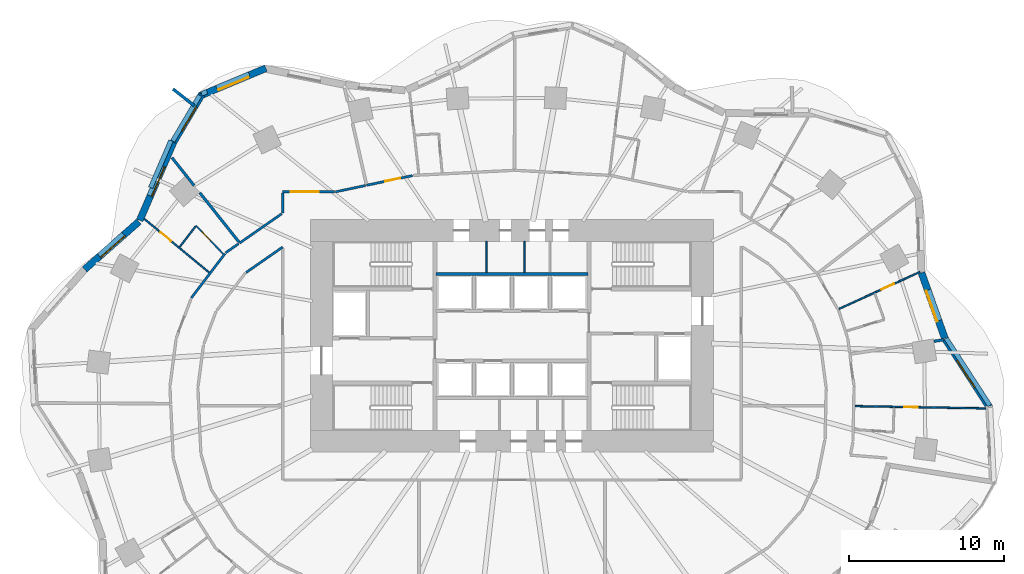
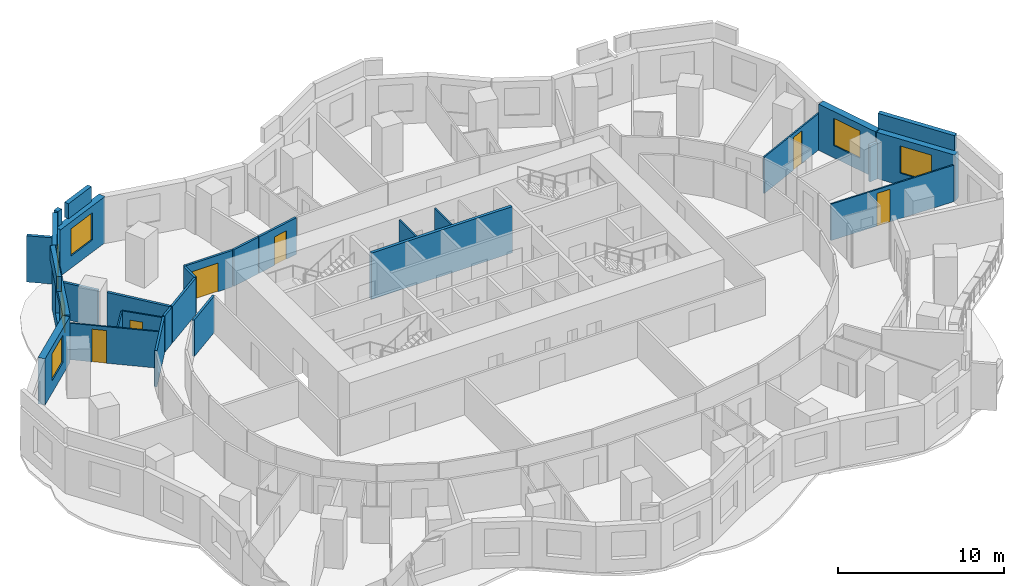
# One storey, part 9 of 14: 31 walls, 6 doors, 6 windows, 12 openings.
"""IFC4 building model written with IfcOpenShell, lengths in metres."""

from ifc_helpers import new_model, si_unit, direction, frame, frame_2d, origin, place, context, subcontext, project, spatial, rectangle, extrude, material, layer, layer_set, type_object, element, fill, save


model = new_model("IFC4")

# Units and contexts
model_context = context("Model", 3, precision=1e-05, world=origin(), true_north=direction((0.0, 1.0)))
body_context = subcontext(model_context, "Body", "Model", "MODEL_VIEW")
ifc_project = project(units=[si_unit("LENGTHUNIT", "METRE"), si_unit("AREAUNIT", "SQUARE_METRE"), si_unit("VOLUMEUNIT", "CUBIC_METRE"), si_unit("PLANEANGLEUNIT", "RADIAN"), si_unit("MASSUNIT", "GRAM", prefix="KILO")], contexts=[model_context])

# Site, building, storey
site_placement = place(None, origin())
site = spatial("IfcSite", under=ifc_project, at=site_placement, CompositionType="ELEMENT")
building_placement = place(site_placement, origin())
building = spatial("IfcBuilding", under=site, at=building_placement, Name="Rubra Terraces Tower", CompositionType="ELEMENT")
storey_placement = place(building_placement, frame((0.0, 0.0, 62.699951171875)))
storey = spatial("IfcBuildingStorey", under=building, at=storey_placement, Name="L13", CompositionType="ELEMENT", Elevation=62.699951171875)

# Walls
ifc_material_1 = material(Name="Twin plasterboard on staggered steel stud, acoustic mineral wool", Category="steel")
ifc_layer_1 = layer(ifc_material_1, 0.175048828125)
ifc_layer_set_1 = layer_set([ifc_layer_1], Name="Twin plasterboard on staggered steel stud, acoustic mineral wool")
wall_type_1 = type_object("IfcWallType", Name="ACOUSTIC PARTY WALL 175", PredefinedType="PARTITIONING", material=ifc_layer_set_1)
wall_1_placement = place(storey_placement, frame((-21.946044921875, 16.0068359375, 0.0), z_axis=(0.0, 0.0, 1.0), x_axis=(0.621870662711, -0.783119964539, 0.0)))
element("IfcWall", 1, at=wall_1_placement, inside=storey, type_object=wall_type_1, Name="PARTITION", PredefinedType="PARTITIONING", context=body_context, shape_type="SweptSolid", body=[
    extrude(rectangle(XDim=2.30126953125, YDim=0.175048828125, at=frame_2d((1.150634765625, 0.0))), origin(), (0.0, 0.0, 1.0), 2.679931640625),
])
wall_2_placement = place(storey_placement, frame((-20.145751953125, 13.739501953125, 0.0), z_axis=(0.0, 0.0, 1.0), x_axis=(0.621832273855, -0.783150447355, 0.0)))
element("IfcWall", 2, at=wall_2_placement, inside=storey, type_object=wall_type_1, Name="PARTITION", PredefinedType="PARTITIONING", context=body_context, shape_type="SweptSolid", body=[
    extrude(rectangle(XDim=4.06201171875, YDim=0.175048828125, at=frame_2d((2.031005859375, 0.0))), origin(), (0.0, 0.0, 1.0), 2.679931640625),
])
wall_3_placement = place(storey_placement, frame((27.844970703125, 4.249267578125, 0.0), z_axis=(0.0, 0.0, 1.0), x_axis=(-0.988533937995, -0.15099885242, 0.0)))
element("IfcWall", 3, at=wall_3_placement, inside=storey, type_object=wall_type_1, Name="PARTITION", PredefinedType="PARTITIONING", context=body_context, shape_type="SweptSolid", body=[
    extrude(rectangle(XDim=0.6240234375, YDim=0.175048828125, at=frame_2d((0.31201171875, 0.0))), origin(), (0.0, 0.0, 1.0), 2.679931640625),
])

# Wall, opening, window
ifc_material_2 = material(Name="Brick masonry red-brown", Category="masonry")
ifc_layer_2 = layer(ifc_material_2, 0.449951171875)
ifc_layer_set_2 = layer_set([ifc_layer_2], Name="Brick masonry red-brown")
wall_type_2 = type_object("IfcWallType", Name="Brick facade wall 450", PredefinedType="SOLIDWALL", material=ifc_layer_set_2)
wall_4_placement = place(storey_placement, frame((30.8251953125, -0.117431640625, 0.0), z_axis=(0.0, 0.0, 1.0), x_axis=(-0.543975629516, 0.839101015666, 0.0)))
wall_4 = element("IfcWall", 4, at=wall_4_placement, inside=storey, type_object=wall_type_2, Name="Facade wall L13 bay 1", PredefinedType="SOLIDWALL", context=body_context, shape_type="SweptSolid", body=[
    extrude(rectangle(XDim=5.281005859375, YDim=0.449951171875, at=frame_2d((2.640625, 0.0))), origin(), (0.0, 0.0, 1.0), 3.400146484375),
])
opening_1_placement = place(wall_4_placement, frame((1.590576171875, 0.0, 0.89990234375)))
opening_1 = element("IfcOpeningElement", 5, at=opening_1_placement, cuts=wall_4, Name="Opening W1", PredefinedType="OPENING", context=body_context, shape_type="SweptSolid", body=[
    extrude(rectangle(XDim=2.10009765625, YDim=2.0, at=frame_2d((1.050048828125, 1.0))), frame((0.0, 0.23486328125, 0.0), z_axis=(0.0, -1.0, 0.0), x_axis=(1.0, 0.0, 0.0)), (0.0, 0.0, 1.0), 0.469970703125),
])
ifc_material_3 = material(Name="Clear glass in aluminium frame", Category="aluminium")
window_type_1 = type_object("IfcWindowType", Name="Fixed deep-set window 2100 x 2000", PartitioningType="SINGLE_PANEL", PredefinedType="WINDOW", material=ifc_material_3)
window_1_placement = place(opening_1_placement, origin())
window_1 = element("IfcWindow", 6, at=window_1_placement, inside=storey, type_object=window_type_1, Name="Window L13 bay 1", OverallHeight=2.0, OverallWidth=2.10009765625, PartitioningType="SINGLE_PANEL", PredefinedType="WINDOW", context=body_context, shape_type="SweptSolid", body=[
    extrude(rectangle(XDim=2.10009765625, YDim=2.0, at=frame_2d((1.050048828125, 1.0))), frame((0.0, 0.135009765625, 0.0), z_axis=(0.0, -1.0, 0.0), x_axis=(1.0, 0.0, 0.0)), (0.0, 0.0, 1.0), 0.06005859375),
])
fill(opening_1, window_1)

wall_5_placement = place(storey_placement, frame((27.9326171875, 4.35595703125, 0.0), z_axis=(0.0, 0.0, 1.0), x_axis=(-0.335746005454, 0.941952557097, 0.0)))
wall_5 = element("IfcWall", 7, at=wall_5_placement, inside=storey, type_object=wall_type_2, Name="Facade wall L13 bay 2", PredefinedType="SOLIDWALL", context=body_context, shape_type="SweptSolid", body=[
    extrude(rectangle(XDim=4.47998046875, YDim=0.449951171875, at=frame_2d((2.239990234375, 0.0))), origin(), (0.0, 0.0, 1.0), 3.400146484375),
])
opening_2_placement = place(wall_5_placement, frame((1.18994140625, 0.0, 0.89990234375)))
opening_2 = element("IfcOpeningElement", 8, at=opening_2_placement, cuts=wall_5, Name="Opening W1", PredefinedType="OPENING", context=body_context, shape_type="SweptSolid", body=[
    extrude(rectangle(XDim=2.10009765625, YDim=2.0, at=frame_2d((1.050048828125, 1.0))), frame((0.0, 0.23486328125, 0.0), z_axis=(0.0, -1.0, 0.0), x_axis=(1.0, 0.0, 0.0)), (0.0, 0.0, 1.0), 0.469970703125),
])
window_2_placement = place(opening_2_placement, origin())
window_2 = element("IfcWindow", 9, at=window_2_placement, inside=storey, type_object=window_type_1, Name="Window L13 bay 2", OverallHeight=2.0, OverallWidth=2.10009765625, PartitioningType="SINGLE_PANEL", PredefinedType="WINDOW", context=body_context, shape_type="SweptSolid", body=[
    extrude(rectangle(XDim=2.10009765625, YDim=2.0, at=frame_2d((1.050048828125, 1.0))), frame((0.0, 0.135009765625, 0.0), z_axis=(0.0, -1.0, 0.0), x_axis=(1.0, 0.0, 0.0)), (0.0, 0.0, 1.0), 0.06005859375),
])
fill(opening_2, window_2)

wall_6_placement = place(storey_placement, frame((-15.88623046875, 21.7763671875, 0.0), z_axis=(0.0, 0.0, 1.0), x_axis=(-0.922527247898, -0.385931958882, 0.0)))
wall_6 = element("IfcWall", 10, at=wall_6_placement, inside=storey, type_object=wall_type_2, Name="Facade wall L13 bay 15", PredefinedType="SOLIDWALL", context=body_context, shape_type="SweptSolid", body=[
    extrude(rectangle(XDim=4.593994140625, YDim=0.449951171875, at=frame_2d((2.296875, 0.0))), origin(), (0.0, 0.0, 1.0), 3.400146484375),
])
opening_3_placement = place(wall_6_placement, frame((1.2470703125, 0.0, 0.89990234375)))
opening_3 = element("IfcOpeningElement", 11, at=opening_3_placement, cuts=wall_6, Name="Opening W1", PredefinedType="OPENING", context=body_context, shape_type="SweptSolid", body=[
    extrude(rectangle(XDim=2.10009765625, YDim=2.0, at=frame_2d((1.050048828125, 1.0))), frame((0.0, 0.23486328125, 0.0), z_axis=(0.0, -1.0, 0.0), x_axis=(1.0, 0.0, 0.0)), (0.0, 0.0, 1.0), 0.469970703125),
])
window_3_placement = place(opening_3_placement, origin())
window_3 = element("IfcWindow", 12, at=window_3_placement, inside=storey, type_object=window_type_1, Name="Window L13 bay 15", OverallHeight=2.0, OverallWidth=2.10009765625, PartitioningType="SINGLE_PANEL", PredefinedType="WINDOW", context=body_context, shape_type="SweptSolid", body=[
    extrude(rectangle(XDim=2.10009765625, YDim=2.0, at=frame_2d((1.050048828125, 1.0))), frame((0.0, 0.135009765625, 0.0), z_axis=(0.0, -1.0, 0.0), x_axis=(1.0, 0.0, 0.0)), (0.0, 0.0, 1.0), 0.06005859375),
])
fill(opening_3, window_3)

wall_7_placement = place(storey_placement, frame((-20.017333984375, 20.09619140625, 0.0), z_axis=(0.0, 0.0, 1.0), x_axis=(-0.509718522454, -0.860341227576, 0.0)))
wall_7 = element("IfcWall", 13, at=wall_7_placement, inside=storey, type_object=wall_type_2, Name="Facade wall L13 bay 16", PredefinedType="SOLIDWALL", context=body_context, shape_type="SweptSolid", body=[
    extrude(rectangle(XDim=3.5908203125, YDim=0.449951171875, at=frame_2d((1.79541015625, 0.0))), origin(), (0.0, 0.0, 1.0), 3.400146484375),
])
opening_4_placement = place(wall_7_placement, frame((0.8955078125, 0.0, 0.89990234375)))
opening_4 = element("IfcOpeningElement", 14, at=opening_4_placement, cuts=wall_7, Name="Opening W6", PredefinedType="OPENING", context=body_context, shape_type="SweptSolid", body=[
    extrude(rectangle(XDim=1.800048828125, YDim=2.0, at=frame_2d((0.89990234375, 1.0))), frame((0.0, 0.23486328125, 0.0), z_axis=(0.0, -1.0, 0.0), x_axis=(1.0, 0.0, 0.0)), (0.0, 0.0, 1.0), 0.469970703125),
])
window_type_2 = type_object("IfcWindowType", Name="Fixed deep-set window at wind fin 1800 x 2000", PartitioningType="SINGLE_PANEL", PredefinedType="WINDOW", material=ifc_material_3)
window_4_placement = place(opening_4_placement, origin())
window_4 = element("IfcWindow", 15, at=window_4_placement, inside=storey, type_object=window_type_2, Name="Window L13 bay 16", OverallHeight=2.0, OverallWidth=1.800048828125, PartitioningType="SINGLE_PANEL", PredefinedType="WINDOW", context=body_context, shape_type="SweptSolid", body=[
    extrude(rectangle(XDim=1.800048828125, YDim=2.0, at=frame_2d((0.89990234375, 1.0))), frame((0.0, 0.135009765625, 0.0), z_axis=(0.0, -1.0, 0.0), x_axis=(1.0, 0.0, 0.0)), (0.0, 0.0, 1.0), 0.06005859375),
])
fill(opening_4, window_4)

wall_8_placement = place(storey_placement, frame((-21.834716796875, 17.032470703125, 0.0), z_axis=(0.0, 0.0, 1.0), x_axis=(-0.396103523022, -0.918205858753, 0.0)))
wall_8 = element("IfcWall", 16, at=wall_8_placement, inside=storey, type_object=wall_type_2, Name="Facade wall L13 bay 17", PredefinedType="SOLIDWALL", context=body_context, shape_type="SweptSolid", body=[
    extrude(rectangle(XDim=5.528076171875, YDim=0.449951171875, at=frame_2d((2.76416015625, 0.0))), origin(), (0.0, 0.0, 1.0), 3.400146484375),
])
opening_5_placement = place(wall_8_placement, frame((1.714111328125, 0.0, 0.89990234375)))
opening_5 = element("IfcOpeningElement", 17, at=opening_5_placement, cuts=wall_8, Name="Opening W1", PredefinedType="OPENING", context=body_context, shape_type="SweptSolid", body=[
    extrude(rectangle(XDim=2.10009765625, YDim=2.0, at=frame_2d((1.050048828125, 1.0))), frame((0.0, 0.23486328125, 0.0), z_axis=(0.0, -1.0, 0.0), x_axis=(1.0, 0.0, 0.0)), (0.0, 0.0, 1.0), 0.469970703125),
])
window_5_placement = place(opening_5_placement, origin())
window_5 = element("IfcWindow", 18, at=window_5_placement, inside=storey, type_object=window_type_1, Name="Window L13 bay 17", OverallHeight=2.0, OverallWidth=2.10009765625, PartitioningType="SINGLE_PANEL", PredefinedType="WINDOW", context=body_context, shape_type="SweptSolid", body=[
    extrude(rectangle(XDim=2.10009765625, YDim=2.0, at=frame_2d((1.050048828125, 1.0))), frame((0.0, 0.135009765625, 0.0), z_axis=(0.0, -1.0, 0.0), x_axis=(1.0, 0.0, 0.0)), (0.0, 0.0, 1.0), 0.06005859375),
])
fill(opening_5, window_5)

wall_9_placement = place(storey_placement, frame((-24.078369140625, 11.88037109375, 0.0), z_axis=(0.0, 0.0, 1.0), x_axis=(-0.749778352475, -0.661689067583, 0.0)))
wall_9 = element("IfcWall", 19, at=wall_9_placement, inside=storey, type_object=wall_type_2, Name="Facade wall L13 bay 18", PredefinedType="SOLIDWALL", context=body_context, shape_type="SweptSolid", body=[
    extrude(rectangle(XDim=4.669921875, YDim=0.449951171875, at=frame_2d((2.3349609375, 0.0))), origin(), (0.0, 0.0, 1.0), 3.400146484375),
])
opening_6_placement = place(wall_9_placement, frame((1.284912109375, 0.0, 0.89990234375)))
opening_6 = element("IfcOpeningElement", 20, at=opening_6_placement, cuts=wall_9, Name="Opening W1", PredefinedType="OPENING", context=body_context, shape_type="SweptSolid", body=[
    extrude(rectangle(XDim=2.10009765625, YDim=2.0, at=frame_2d((1.050048828125, 1.0))), frame((0.0, 0.23486328125, 0.0), z_axis=(0.0, -1.0, 0.0), x_axis=(1.0, 0.0, 0.0)), (0.0, 0.0, 1.0), 0.469970703125),
])
window_6_placement = place(opening_6_placement, origin())
window_6 = element("IfcWindow", 21, at=window_6_placement, inside=storey, type_object=window_type_1, Name="Window L13 bay 18", OverallHeight=2.0, OverallWidth=2.10009765625, PartitioningType="SINGLE_PANEL", PredefinedType="WINDOW", context=body_context, shape_type="SweptSolid", body=[
    extrude(rectangle(XDim=2.10009765625, YDim=2.0, at=frame_2d((1.050048828125, 1.0))), frame((0.0, 0.135009765625, 0.0), z_axis=(0.0, -1.0, 0.0), x_axis=(1.0, 0.0, 0.0)), (0.0, 0.0, 1.0), 0.06005859375),
])
fill(opening_6, window_6)

# Walls
ifc_layer_3 = layer(ifc_material_2, 0.300048828125)
ifc_layer_set_3 = layer_set([ifc_layer_3], Name="Brick masonry red-brown")
wall_type_3 = type_object("IfcWallType", Name="Brick parapet 300", PredefinedType="PARAPET", material=ifc_layer_set_3)
wall_10_placement = place(storey_placement, frame((30.8310546875, 0.01123046875, 3.60009765625), z_axis=(0.0, 0.0, 1.0), x_axis=(-0.543918219167, 0.839138231079, 0.0)))
element("IfcWall", 22, at=wall_10_placement, inside=storey, type_object=wall_type_3, Name="Parapet L13 bay 1", PredefinedType="PARAPET", context=body_context, shape_type="SweptSolid", body=[
    extrude(rectangle(XDim=5.17431640625, YDim=0.300048828125, at=frame_2d((2.587158203125, 0.0))), origin(), (0.0, 0.0, 1.0), 1.099853515625),
])
wall_11_placement = place(storey_placement, frame((-16.96240234375, 21.407470703125, 3.60009765625), z_axis=(0.0, 0.0, 1.0), x_axis=(-0.922533659014, -0.385916633467, 0.0)))
element("IfcWall", 23, at=wall_11_placement, inside=storey, type_object=wall_type_3, Name="Parapet L13 bay 15", PredefinedType="PARAPET", context=body_context, shape_type="SweptSolid", body=[
    extrude(rectangle(XDim=2.290771484375, YDim=0.300048828125, at=frame_2d((1.1455078125, 0.0))), origin(), (0.0, 0.0, 1.0), 1.099853515625),
])
wall_12_placement = place(storey_placement, frame((-19.6884765625, 20.26708984375, 3.60009765625), z_axis=(0.0, 0.0, 1.0), x_axis=(-0.922419372029, -0.386189722943, 0.0)))
element("IfcWall", 24, at=wall_12_placement, inside=storey, type_object=wall_type_3, Name="Parapet L13 bay 15.2", PredefinedType="PARAPET", context=body_context, shape_type="SweptSolid", body=[
    extrude(rectangle(XDim=0.374267578125, YDim=0.300048828125, at=frame_2d((0.18701171875, 0.0))), origin(), (0.0, 0.0, 1.0), 1.099853515625),
])
wall_13_placement = place(storey_placement, frame((-20.14794921875, 20.023193359375, 3.60009765625), z_axis=(0.0, 0.0, 1.0), x_axis=(-0.509657876052, -0.860377155309, 0.0)))
element("IfcWall", 25, at=wall_13_placement, inside=storey, type_object=wall_type_3, Name="Parapet L13 bay 16", PredefinedType="PARAPET", context=body_context, shape_type="SweptSolid", body=[
    extrude(rectangle(XDim=3.427001953125, YDim=0.300048828125, at=frame_2d((1.71337890625, 0.0))), origin(), (0.0, 0.0, 1.0), 1.099853515625),
])
wall_14_placement = place(storey_placement, frame((-22.008544921875, 17.107421875, 3.60009765625), z_axis=(0.0, 0.0, 1.0), x_axis=(-0.396142292889, -0.918189132905, 0.0)))
element("IfcWall", 26, at=wall_14_placement, inside=storey, type_object=wall_type_3, Name="Parapet L13 bay 17", PredefinedType="PARAPET", context=body_context, shape_type="SweptSolid", body=[
    extrude(rectangle(XDim=3.31201171875, YDim=0.300048828125, at=frame_2d((1.656005859375, 0.0))), origin(), (0.0, 0.0, 1.0), 1.099853515625),
])
ifc_layer_4 = layer(ifc_material_2, 0.199951171875)
ifc_layer_set_4 = layer_set([ifc_layer_4], Name="Brick masonry red-brown")
wall_type_4 = type_object("IfcWallType", Name="Brick wind fin 200", PredefinedType="SOLIDWALL", material=ifc_layer_set_4)
wall_15_placement = place(storey_placement, frame((-20.5, 19.35498046875, 0.0), z_axis=(0.0, 0.0, 1.0), x_axis=(-0.786700632228, 0.617334686577, 0.0)))
element("IfcWall", 27, at=wall_15_placement, inside=storey, type_object=wall_type_4, Name="Wind fin L13 10", PredefinedType="SOLIDWALL", context=body_context, shape_type="SweptSolid", body=[
    extrude(rectangle(XDim=1.75, YDim=0.199951171875, at=frame_2d((0.875, 0.0))), origin(), (0.0, 0.0, 1.0), 3.400146484375),
])

# Wall, opening, door
ifc_material_4 = material(Name="Plasterboard on steel stud, mineral wool infill", Category="steel")
ifc_layer_5 = layer(ifc_material_4, 0.14990234375)
ifc_layer_set_5 = layer_set([ifc_layer_5], Name="Plasterboard on steel stud, mineral wool infill")
wall_type_5 = type_object("IfcWallType", Name="CORRIDOR PARTITION 150", PredefinedType="PARTITIONING", material=ifc_layer_set_5)
wall_16_placement = place(storey_placement, frame((-6.4296875, 14.84619140625, 0.0), z_axis=(0.0, 0.0, 1.0), x_axis=(-0.978469112666, -0.206393303085, 0.0)))
wall_16 = element("IfcWall", 28, at=wall_16_placement, inside=storey, type_object=wall_type_5, Name="PARTITION", PredefinedType="PARTITIONING", context=body_context, shape_type="SweptSolid", body=[
    extrude(rectangle(XDim=3.02099609375, YDim=0.14990234375, at=frame_2d((1.510498046875, 0.0))), origin(), (0.0, 0.0, 1.0), 2.679931640625),
])
opening_7_placement = place(wall_16_placement, frame((0.797119140625, 0.0, 0.0)))
opening_7 = element("IfcOpeningElement", 29, at=opening_7_placement, cuts=wall_16, Name="Opening 13-109", PredefinedType="OPENING", context=body_context, shape_type="SweptSolid", body=[
    extrude(rectangle(XDim=1.0, YDim=2.10009765625, at=frame_2d((0.5, 1.050048828125))), frame((0.0, 0.0849609375, 0.0), z_axis=(0.0, -1.0, 0.0), x_axis=(1.0, 0.0, 0.0)), (0.0, 0.0, 1.0), 0.169921875),
])
ifc_material_5 = material(Name="Painted timber door leaf", Category="wood")
door_type_1 = type_object("IfcDoorType", Name="ROOM DOOR 1000 X 2100", OperationType="SINGLE_SWING_LEFT", PredefinedType="DOOR", material=ifc_material_5)
door_1_placement = place(opening_7_placement, origin())
door_1 = element("IfcDoor", 30, at=door_1_placement, inside=storey, type_object=door_type_1, Name="DOOR 13-109", OperationType="SINGLE_SWING_RIGHT", OverallHeight=2.10009765625, OverallWidth=1.0, PredefinedType="DOOR", context=body_context, shape_type="SweptSolid", body=[
    extrude(rectangle(XDim=1.0, YDim=2.10009765625, at=frame_2d((0.5, 1.050048828125))), frame((0.0, 0.02490234375, 0.0), z_axis=(0.0, -1.0, 0.0), x_axis=(1.0, 0.0, 0.0)), (0.0, 0.0, 1.0), 0.050048828125),
])
fill(opening_7, door_1)

# Wall
wall_17_placement = place(storey_placement, frame((-9.459228515625, 14.207275390625, 0.0), z_axis=(0.0, 0.0, 1.0), x_axis=(-0.978460400771, -0.206434600112, 0.0)))
element("IfcWall", 31, at=wall_17_placement, inside=storey, type_object=wall_type_5, Name="PARTITION", PredefinedType="PARTITIONING", context=body_context, shape_type="SweptSolid", body=[
    extrude(rectangle(XDim=1.97265625, YDim=0.14990234375, at=frame_2d((0.986328125, 0.0))), origin(), (0.0, 0.0, 1.0), 2.679931640625),
])

# Wall, opening, door
wall_18_placement = place(storey_placement, frame((-11.46435546875, 13.800048828125, 0.0), z_axis=(0.0, 0.0, 1.0), x_axis=(-1.0, 0.0, 0.0)))
wall_18 = element("IfcWall", 32, at=wall_18_placement, inside=storey, type_object=wall_type_5, Name="PARTITION", PredefinedType="PARTITIONING", context=body_context, shape_type="SweptSolid", body=[
    extrude(rectangle(XDim=3.335693359375, YDim=0.14990234375, at=frame_2d((1.66796875, 0.0))), origin(), (0.0, 0.0, 1.0), 2.679931640625),
])
opening_8_placement = place(wall_18_placement, frame((1.0, 0.0, 0.0)))
opening_8 = element("IfcOpeningElement", 33, at=opening_8_placement, cuts=wall_18, Name="Opening 13-110", PredefinedType="OPENING", context=body_context, shape_type="SweptSolid", body=[
    extrude(rectangle(XDim=1.800048828125, YDim=2.10009765625, at=frame_2d((0.89990234375, 1.050048828125))), frame((0.0, 0.0849609375, 0.0), z_axis=(0.0, -1.0, 0.0), x_axis=(1.0, 0.0, 0.0)), (0.0, 0.0, 1.0), 0.169921875),
])
ifc_material_6 = material(Name="Painted timber door leaf, double", Category="wood")
door_type_2 = type_object("IfcDoorType", Name="ROOM DOUBLE DOOR 1800 X 2100", OperationType="DOUBLE_DOOR_SINGLE_SWING", PredefinedType="DOOR", material=ifc_material_6)
door_2_placement = place(opening_8_placement, origin())
door_2 = element("IfcDoor", 34, at=door_2_placement, inside=storey, type_object=door_type_2, Name="DOOR 13-110", OperationType="DOUBLE_DOOR_SINGLE_SWING", OverallHeight=2.10009765625, OverallWidth=1.800048828125, PredefinedType="DOOR", context=body_context, shape_type="SweptSolid", body=[
    extrude(rectangle(XDim=1.800048828125, YDim=2.10009765625, at=frame_2d((0.89990234375, 1.050048828125))), frame((0.0, 0.02490234375, 0.0), z_axis=(0.0, -1.0, 0.0), x_axis=(1.0, 0.0, 0.0)), (0.0, 0.0, 1.0), 0.050048828125),
])
fill(opening_8, door_2)

# Walls
wall_19_placement = place(storey_placement, frame((-14.800048828125, 13.72509765625, 0.0), z_axis=(0.0, 0.0, 1.0), x_axis=(-0.000188040613, -0.99999998232, 0.0)))
element("IfcWall", 35, at=wall_19_placement, inside=storey, type_object=wall_type_5, Name="PARTITION", PredefinedType="PARTITIONING", context=body_context, shape_type="SweptSolid", body=[
    extrude(rectangle(XDim=1.29833984375, YDim=0.14990234375, at=frame_2d((0.649169921875, 0.0))), origin(), (0.0, 0.0, 1.0), 2.679931640625),
])
wall_20_placement = place(storey_placement, frame((-14.86181640625, 12.384033203125, 0.0), z_axis=(0.0, 0.0, 1.0), x_axis=(-0.821144742038, -0.570719994939, 0.0)))
element("IfcWall", 36, at=wall_20_placement, inside=storey, type_object=wall_type_5, Name="PARTITION", PredefinedType="PARTITIONING", context=body_context, shape_type="SweptSolid", body=[
    extrude(rectangle(XDim=3.302001953125, YDim=0.14990234375, at=frame_2d((1.65087890625, 0.0))), origin(), (0.0, 0.0, 1.0), 2.679931640625),
])
wall_21_placement = place(storey_placement, frame((-17.634765625, 10.456787109375, 0.0), z_axis=(0.0, 0.0, 1.0), x_axis=(-0.821171783561, -0.570681085969, 0.0)))
element("IfcWall", 37, at=wall_21_placement, inside=storey, type_object=wall_type_5, Name="PARTITION", PredefinedType="PARTITIONING", context=body_context, shape_type="SweptSolid", body=[
    extrude(rectangle(XDim=1.0263671875, YDim=0.14990234375, at=frame_2d((0.51318359375, 0.0))), origin(), (0.0, 0.0, 1.0), 2.679931640625),
])
wall_22_placement = place(storey_placement, frame((-18.52294921875, 9.811279296875, 0.0), z_axis=(0.0, 0.0, 1.0), x_axis=(-0.605040130963, -0.796194976073, 0.0)))
element("IfcWall", 38, at=wall_22_placement, inside=storey, type_object=wall_type_5, Name="PARTITION", PredefinedType="PARTITIONING", context=body_context, shape_type="SweptSolid", body=[
    extrude(rectangle(XDim=3.587646484375, YDim=0.14990234375, at=frame_2d((1.7939453125, 0.0))), origin(), (0.0, 0.0, 1.0), 2.679931640625),
])
wall_23_placement = place(storey_placement, frame((-17.15478515625, 8.59814453125, 0.0), z_axis=(0.0, 0.0, 1.0), x_axis=(0.821087350938, 0.570802559673, 0.0)))
element("IfcWall", 39, at=wall_23_placement, inside=storey, type_object=wall_type_5, Name="PARTITION", PredefinedType="PARTITIONING", context=body_context, shape_type="SweptSolid", body=[
    extrude(rectangle(XDim=2.867919921875, YDim=0.14990234375, at=frame_2d((1.43408203125, 0.0))), origin(), (0.0, 0.0, 1.0), 2.679931640625),
])
ifc_material_7 = material(Name="Concrete C30", Category="concrete")
ifc_layer_6 = layer(ifc_material_7, 0.199951171875)
ifc_layer_set_6 = layer_set([ifc_layer_6], Name="Concrete C30")
wall_type_6 = type_object("IfcWallType", Name="Core wall 200 concrete", PredefinedType="SOLIDWALL", material=ifc_layer_set_6)
wall_24_placement = place(storey_placement, frame((-4.89990234375, 8.5, 0.0), z_axis=(0.0, 0.0, 1.0), x_axis=(1.0, 0.0, 0.0)))
element("IfcWall", 40, at=wall_24_placement, inside=storey, type_object=wall_type_6, Name="LIFT SHAFT WALL L13", PredefinedType="SOLIDWALL", context=body_context, shape_type="SweptSolid", body=[
    extrude(rectangle(XDim=9.7998046875, YDim=0.199951171875, at=frame_2d((4.89990234375, 0.0))), origin(), (0.0, 0.0, 1.0), 3.400146484375),
])

# Wall, opening, door
ifc_material_8 = material(Name="Plasterboard on steel stud", Category="steel")
ifc_layer_7 = layer(ifc_material_8, 0.10009765625)
ifc_layer_set_7 = layer_set([ifc_layer_7], Name="Plasterboard on steel stud")
wall_type_7 = type_object("IfcWallType", Name="ROOM PARTITION 100", PredefinedType="PARTITIONING", material=ifc_layer_set_7)
wall_25_placement = place(storey_placement, frame((-23.734130859375, 12.05126953125, 0.0), z_axis=(0.0, 0.0, 1.0), x_axis=(0.770730551599, -0.6371612173, 0.0)))
wall_25 = element("IfcWall", 41, at=wall_25_placement, inside=storey, type_object=wall_type_7, Name="PARTITION", PredefinedType="PARTITIONING", context=body_context, shape_type="SweptSolid", body=[
    extrude(rectangle(XDim=5.43408203125, YDim=0.10009765625, at=frame_2d((2.717041015625, 0.0))), origin(), (0.0, 0.0, 1.0), 2.679931640625),
])
opening_9_placement = place(wall_25_placement, frame((1.35888671875, 0.0, 0.0)))
opening_9 = element("IfcOpeningElement", 42, at=opening_9_placement, cuts=wall_25, Name="Opening 13-112", PredefinedType="OPENING", context=body_context, shape_type="SweptSolid", body=[
    extrude(rectangle(XDim=0.89990234375, YDim=2.39990234375, at=frame_2d((0.449951171875, 1.199951171875))), frame((0.0, 0.06005859375, 0.0), z_axis=(0.0, -1.0, 0.0), x_axis=(1.0, 0.0, 0.0)), (0.0, 0.0, 1.0), 0.1201171875),
])
ifc_material_9 = material(Name="Veneered timber door leaf, fire-rated", Category="wood")
door_type_3 = type_object("IfcDoorType", Name="SUITE ENTRANCE DOOR 900 X 2400", OperationType="SINGLE_SWING_LEFT", PredefinedType="DOOR", material=ifc_material_9)
door_3_placement = place(opening_9_placement, origin())
door_3 = element("IfcDoor", 43, at=door_3_placement, inside=storey, type_object=door_type_3, Name="DOOR 13-112", OperationType="SINGLE_SWING_LEFT", OverallHeight=2.39990234375, OverallWidth=0.89990234375, PredefinedType="DOOR", context=body_context, shape_type="SweptSolid", body=[
    extrude(rectangle(XDim=0.89990234375, YDim=2.39990234375, at=frame_2d((0.449951171875, 1.199951171875))), frame((0.0, 0.02490234375, 0.0), z_axis=(0.0, -1.0, 0.0), x_axis=(1.0, 0.0, 0.0)), (0.0, 0.0, 1.0), 0.050048828125),
])
fill(opening_9, door_3)

wall_26_placement = place(storey_placement, frame((-18.632568359375, 9.789306640625, 0.0), z_axis=(0.0, 0.0, 1.0), x_axis=(-0.693885037795, 0.720085796502, 0.0)))
wall_26 = element("IfcWall", 44, at=wall_26_placement, inside=storey, type_object=wall_type_7, Name="PARTITION", PredefinedType="PARTITIONING", context=body_context, shape_type="SweptSolid", body=[
    extrude(rectangle(XDim=2.525146484375, YDim=0.10009765625, at=frame_2d((1.2626953125, 0.0))), origin(), (0.0, 0.0, 1.0), 2.679931640625),
])
opening_10_placement = place(wall_26_placement, frame((1.199951171875, 0.0, 0.0)))
opening_10 = element("IfcOpeningElement", 45, at=opening_10_placement, cuts=wall_26, Name="Opening 13-111", PredefinedType="OPENING", context=body_context, shape_type="SweptSolid", body=[
    extrude(rectangle(XDim=0.800048828125, YDim=2.10009765625, at=frame_2d((0.39990234375, 1.050048828125))), frame((0.0, 0.06005859375, 0.0), z_axis=(0.0, -1.0, 0.0), x_axis=(1.0, 0.0, 0.0)), (0.0, 0.0, 1.0), 0.1201171875),
])
door_type_4 = type_object("IfcDoorType", Name="BATHROOM DOOR 800 X 2100", OperationType="SINGLE_SWING_LEFT", PredefinedType="DOOR", material=ifc_material_5)
door_4_placement = place(opening_10_placement, origin())
door_4 = element("IfcDoor", 46, at=door_4_placement, inside=storey, type_object=door_type_4, Name="DOOR 13-111", OperationType="SINGLE_SWING_LEFT", OverallHeight=2.10009765625, OverallWidth=0.800048828125, PredefinedType="DOOR", context=body_context, shape_type="SweptSolid", body=[
    extrude(rectangle(XDim=0.800048828125, YDim=2.10009765625, at=frame_2d((0.39990234375, 1.050048828125))), frame((0.0, 0.02490234375, 0.0), z_axis=(0.0, -1.0, 0.0), x_axis=(1.0, 0.0, 0.0)), (0.0, 0.0, 1.0), 0.050048828125),
])
fill(opening_10, door_4)

# Wall
wall_27_placement = place(storey_placement, frame((-20.415771484375, 11.568359375, 0.0), z_axis=(0.0, 0.0, 1.0), x_axis=(-0.617598582762, -0.786493477767, 0.0)))
element("IfcWall", 47, at=wall_27_placement, inside=storey, type_object=wall_type_7, Name="PARTITION", PredefinedType="PARTITIONING", context=body_context, shape_type="SweptSolid", body=[
    extrude(rectangle(XDim=1.692626953125, YDim=0.10009765625, at=frame_2d((0.84619140625, 0.0))), origin(), (0.0, 0.0, 1.0), 2.679931640625),
])

# Wall, opening, door
wall_28_placement = place(storey_placement, frame((30.5712890625, -0.17529296875, 0.0), z_axis=(0.0, 0.0, 1.0), x_axis=(-0.999851615206, 0.017226362636, 0.0)))
wall_28 = element("IfcWall", 48, at=wall_28_placement, inside=storey, type_object=wall_type_7, Name="PARTITION", PredefinedType="PARTITIONING", context=body_context, shape_type="SweptSolid", body=[
    extrude(rectangle(XDim=8.44677734375, YDim=0.10009765625, at=frame_2d((4.223388671875, 0.0))), origin(), (0.0, 0.0, 1.0), 2.679931640625),
])
opening_11_placement = place(wall_28_placement, frame((4.3720703125, 0.0, 0.0)))
opening_11 = element("IfcOpeningElement", 49, at=opening_11_placement, cuts=wall_28, Name="Opening 13-130", PredefinedType="OPENING", context=body_context, shape_type="SweptSolid", body=[
    extrude(rectangle(XDim=0.89990234375, YDim=2.39990234375, at=frame_2d((0.449951171875, 1.199951171875))), frame((0.0, 0.06005859375, 0.0), z_axis=(0.0, -1.0, 0.0), x_axis=(1.0, 0.0, 0.0)), (0.0, 0.0, 1.0), 0.1201171875),
])
door_5_placement = place(opening_11_placement, origin())
door_5 = element("IfcDoor", 50, at=door_5_placement, inside=storey, type_object=door_type_3, Name="DOOR 13-130", OperationType="SINGLE_SWING_LEFT", OverallHeight=2.39990234375, OverallWidth=0.89990234375, PredefinedType="DOOR", context=body_context, shape_type="SweptSolid", body=[
    extrude(rectangle(XDim=0.89990234375, YDim=2.39990234375, at=frame_2d((0.449951171875, 1.199951171875))), frame((0.0, 0.02490234375, 0.0), z_axis=(0.0, -1.0, 0.0), x_axis=(1.0, 0.0, 0.0)), (0.0, 0.0, 1.0), 0.050048828125),
])
fill(opening_11, door_5)

wall_29_placement = place(storey_placement, frame((26.3291015625, 8.630859375, 0.0), z_axis=(0.0, 0.0, 1.0), x_axis=(-0.909688352961, -0.415291584899, 0.0)))
wall_29 = element("IfcWall", 51, at=wall_29_placement, inside=storey, type_object=wall_type_7, Name="PARTITION", PredefinedType="PARTITIONING", context=body_context, shape_type="SweptSolid", body=[
    extrude(rectangle(XDim=5.74365234375, YDim=0.10009765625, at=frame_2d((2.871826171875, 0.0))), origin(), (0.0, 0.0, 1.0), 2.679931640625),
])
opening_12_placement = place(wall_29_placement, frame((1.85009765625, 0.0, 0.0)))
opening_12 = element("IfcOpeningElement", 52, at=opening_12_placement, cuts=wall_29, Name="Opening 13-133", PredefinedType="OPENING", context=body_context, shape_type="SweptSolid", body=[
    extrude(rectangle(XDim=0.89990234375, YDim=2.39990234375, at=frame_2d((0.449951171875, 1.199951171875))), frame((0.0, 0.06005859375, 0.0), z_axis=(0.0, -1.0, 0.0), x_axis=(1.0, 0.0, 0.0)), (0.0, 0.0, 1.0), 0.1201171875),
])
door_6_placement = place(opening_12_placement, origin())
door_6 = element("IfcDoor", 53, at=door_6_placement, inside=storey, type_object=door_type_3, Name="DOOR 13-133", OperationType="SINGLE_SWING_LEFT", OverallHeight=2.39990234375, OverallWidth=0.89990234375, PredefinedType="DOOR", context=body_context, shape_type="SweptSolid", body=[
    extrude(rectangle(XDim=0.89990234375, YDim=2.39990234375, at=frame_2d((0.449951171875, 1.199951171875))), frame((0.0, 0.02490234375, 0.0), z_axis=(0.0, -1.0, 0.0), x_axis=(1.0, 0.0, 0.0)), (0.0, 0.0, 1.0), 0.050048828125),
])
fill(opening_12, door_6)

# Walls
ifc_material_10 = material(Name="Blockwork", Category="masonry")
ifc_layer_8 = layer(ifc_material_10, 0.10009765625)
ifc_layer_set_8 = layer_set([ifc_layer_8], Name="Blockwork")
wall_type_8 = type_object("IfcWallType", Name="Service partition 100 blockwork", PredefinedType="PARTITIONING", material=ifc_layer_set_8)
for number, where, z_axis, x_axis, name in (
    (54, (-1.64990234375, 8.60009765625, 0.0), (0.0, 0.0, 1.0), (0.0, 1.0, 0.0), "SERVICE ROOM PARTITION L13"),
    (55, (0.800048828125, 8.60009765625, 0.0), (0.0, 0.0, 1.0), (0.0, 1.0, 0.0), "SERVICE ROOM PARTITION L13"),
):
    element("IfcWall", number, at=place(storey_placement, frame(where, z_axis=z_axis, x_axis=x_axis)), inside=storey, type_object=wall_type_8, Name=name, PredefinedType="PARTITIONING", context=body_context, shape_type="SweptSolid", body=[
        extrude(rectangle(XDim=2.0, YDim=0.10009765625, at=frame_2d((1.0, 0.0))), origin(), (0.0, 0.0, 1.0), 3.400146484375),
    ])

save(model, "model.ifc")
